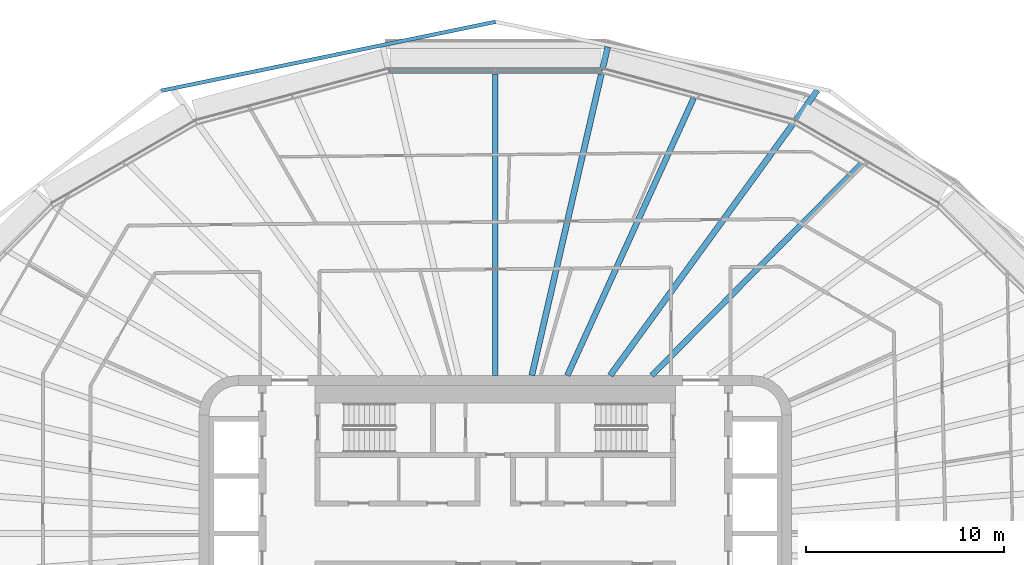
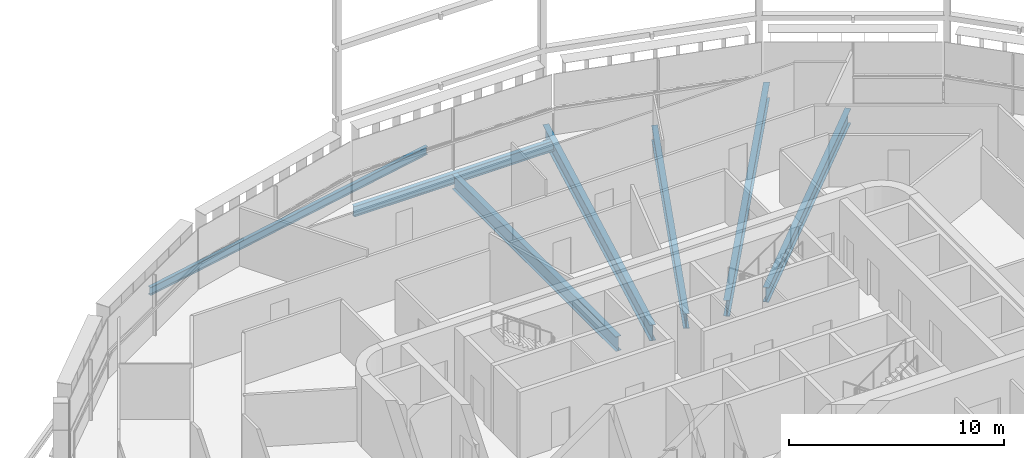
# One storey, part 7 of 24: 7 beams.
"""IFC4 building model written with IfcOpenShell, lengths in metres."""

from ifc_helpers import new_model, si_unit, direction, frame, origin, origin_2d, place, context, subcontext, project, spatial, i_section, extrude, material, material_profile, profile_set, type_object, element, save


model = new_model("IFC4")

# Units and contexts
model_context = context("Model", 3, precision=1e-05, world=origin(), true_north=direction((0.0, 1.0)))
body_context = subcontext(model_context, "Body", "Model", "MODEL_VIEW")
ifc_project = project(units=[si_unit("LENGTHUNIT", "METRE"), si_unit("AREAUNIT", "SQUARE_METRE"), si_unit("VOLUMEUNIT", "CUBIC_METRE"), si_unit("PLANEANGLEUNIT", "RADIAN"), si_unit("MASSUNIT", "GRAM", prefix="KILO")], contexts=[model_context])

# Site, building, storey
site_placement = place(None, origin())
site = spatial("IfcSite", under=ifc_project, at=site_placement, CompositionType="ELEMENT")
building_placement = place(site_placement, origin())
building = spatial("IfcBuilding", under=site, at=building_placement, Name="Sahrelin Media Tower", CompositionType="ELEMENT")
storey_placement = place(building_placement, frame((0.0, 0.0, 153.60009765625)))
storey = spatial("IfcBuildingStorey", under=building, at=storey_placement, Name="L31", CompositionType="ELEMENT", Elevation=153.60009765625)

# Beams
ifc_material = material(Name="Steel S355", Category="steel")
ifc_material_profile_1 = material_profile(ifc_material, i_section(OverallWidth=0.2275390625, OverallDepth=0.6025390625, WebThickness=0.010498046875, FlangeThickness=0.014892578125, FilletRadius=0.0126953125, at=origin_2d()), Name="UB 610x229x101")
ifc_profile_set_1 = profile_set([ifc_material_profile_1], Name="Steel S355")
beam_type_1 = type_object("IfcBeamType", Name="Edge beam EB7", PredefinedType="BEAM", material=ifc_profile_set_1)
beam_1_placement = place(storey_placement, frame((-5.393798828125, 23.38232421875, -0.451416015625), z_axis=(1.0, 0.0, 0.0), x_axis=(0.0, 1.0, 0.0)))
element("IfcBeam", 1, at=beam_1_placement, inside=storey, type_object=beam_type_1, Name="Edge beam L31-19", PredefinedType="BEAM", context=body_context, shape_type="SweptSolid", body=[
    extrude(i_section(OverallWidth=0.2275390625, OverallDepth=0.6025390625, WebThickness=0.010498046875, FlangeThickness=0.014892578125, FilletRadius=0.0126953125, at=origin_2d()), origin(), (0.0, 0.0, 1.0), 10.78759765625),
])
ifc_material_profile_2 = material_profile(ifc_material, i_section(OverallWidth=0.30322265625, OverallDepth=0.903076171875, WebThickness=0.01513671875, FlangeThickness=0.020263671875, FilletRadius=0.01904296875, at=origin_2d()), Name="UB 914x305x201")
ifc_profile_set_2 = profile_set([ifc_material_profile_2], Name="Steel S355")
beam_type_2 = type_object("IfcBeamType", Name="Radial primary beam PB11", PredefinedType="BEAM", material=ifc_profile_set_2)
beam_2_placement = place(storey_placement, frame((5.8125, 8.0, -0.6015625), z_axis=(0.587797436451, 0.809008141925, 0.0), x_axis=(-0.809008141925, 0.587797436451, 0.0)))
element("IfcBeam", 2, at=beam_2_placement, inside=storey, type_object=beam_type_2, Name="Radial beam L31-05", PredefinedType="BEAM", context=body_context, shape_type="SweptSolid", body=[
    extrude(i_section(OverallWidth=0.30322265625, OverallDepth=0.903076171875, WebThickness=0.01513671875, FlangeThickness=0.020263671875, FilletRadius=0.01904296875, at=origin_2d()), origin(), (0.0, 0.0, 1.0), 17.844970703125),
])
beam_3_placement = place(storey_placement, frame((1.845458984375, 8.0, -0.6015625), z_axis=(0.224764419728, 0.974413133955, 0.0), x_axis=(-0.974413133955, 0.224764419728, 0.0)))
element("IfcBeam", 3, at=beam_3_placement, inside=storey, type_object=beam_type_2, Name="Radial beam L31-06", PredefinedType="BEAM", context=body_context, shape_type="SweptSolid", body=[
    extrude(i_section(OverallWidth=0.30322265625, OverallDepth=0.903076171875, WebThickness=0.01513671875, FlangeThickness=0.020263671875, FilletRadius=0.01904296875, at=origin_2d()), origin(), (0.0, 0.0, 1.0), 17.064208984375),
])
ifc_material_profile_3 = material_profile(ifc_material, i_section(OverallWidth=0.291748046875, OverallDepth=0.8349609375, WebThickness=0.013916015625, FlangeThickness=0.018798828125, FilletRadius=0.017822265625, at=origin_2d()), Name="UB 838x292x176")
ifc_profile_set_3 = profile_set([ifc_material_profile_3], Name="Steel S355")
beam_type_3 = type_object("IfcBeamType", Name="Radial secondary beam SB10", PredefinedType="BEAM", material=ifc_profile_set_3)
beam_4_placement = place(storey_placement, frame((7.921142578125, 8.0, -0.567626953125), z_axis=(0.703599162107, 0.710597086317, 0.0), x_axis=(-0.710597086317, 0.703599162107, 0.0)))
element("IfcBeam", 4, at=beam_4_placement, inside=storey, type_object=beam_type_3, Name="Secondary beam L31-04", PredefinedType="BEAM", context=body_context, shape_type="SweptSolid", body=[
    extrude(i_section(OverallWidth=0.291748046875, OverallDepth=0.8349609375, WebThickness=0.013916015625, FlangeThickness=0.018798828125, FilletRadius=0.017822265625, at=origin_2d()), origin(), (0.0, 0.0, 1.0), 15.071533203125),
])
beam_5_placement = place(storey_placement, frame((3.64501953125, 8.0, -0.567626953125), z_axis=(0.414613847662, 0.909997449077, 0.0), x_axis=(-0.909997449077, 0.414613847662, 0.0)))
element("IfcBeam", 5, at=beam_5_placement, inside=storey, type_object=beam_type_3, Name="Secondary beam L31-05", PredefinedType="BEAM", context=body_context, shape_type="SweptSolid", body=[
    extrude(i_section(OverallWidth=0.291748046875, OverallDepth=0.8349609375, WebThickness=0.013916015625, FlangeThickness=0.018798828125, FilletRadius=0.017822265625, at=origin_2d()), origin(), (0.0, 0.0, 1.0), 15.421630859375),
])
beam_6_placement = place(storey_placement, frame((0.0, 8.0, -0.567626953125), z_axis=(0.0, 1.0, 0.0), x_axis=(-1.0, 0.0, 0.0)))
element("IfcBeam", 6, at=beam_6_placement, inside=storey, type_object=beam_type_3, Name="Secondary beam L31-06", PredefinedType="BEAM", context=body_context, shape_type="SweptSolid", body=[
    extrude(i_section(OverallWidth=0.291748046875, OverallDepth=0.8349609375, WebThickness=0.013916015625, FlangeThickness=0.018798828125, FilletRadius=0.017822265625, at=origin_2d()), origin(), (0.0, 0.0, 1.0), 15.2685546875),
])
ifc_material_profile_4 = material_profile(ifc_material, i_section(OverallWidth=0.1904296875, OverallDepth=0.45703125, WebThickness=0.009033203125, FlangeThickness=0.014404296875, FilletRadius=0.01025390625, at=origin_2d()), Name="UB 457x191x74")
ifc_profile_set_4 = profile_set([ifc_material_profile_4], Name="Steel S355")
beam_type_4 = type_object("IfcBeamType", Name="Tie chord TC5", PredefinedType="BEAM", material=ifc_profile_set_4)
beam_7_placement = place(storey_placement, frame((-16.92578125, 22.4052734375, -0.378662109375), z_axis=(0.979382790759, 0.202013240074, 0.0), x_axis=(-0.202013240074, 0.979382790759, 0.0)))
element("IfcBeam", 7, at=beam_7_placement, inside=storey, type_object=beam_type_4, Name="Tie chord L31-15", PredefinedType="BEAM", context=body_context, shape_type="SweptSolid", body=[
    extrude(i_section(OverallWidth=0.1904296875, OverallDepth=0.45703125, WebThickness=0.009033203125, FlangeThickness=0.014404296875, FilletRadius=0.01025390625, at=origin_2d()), origin(), (0.0, 0.0, 1.0), 17.281982421875),
])

save(model, "model.ifc")
